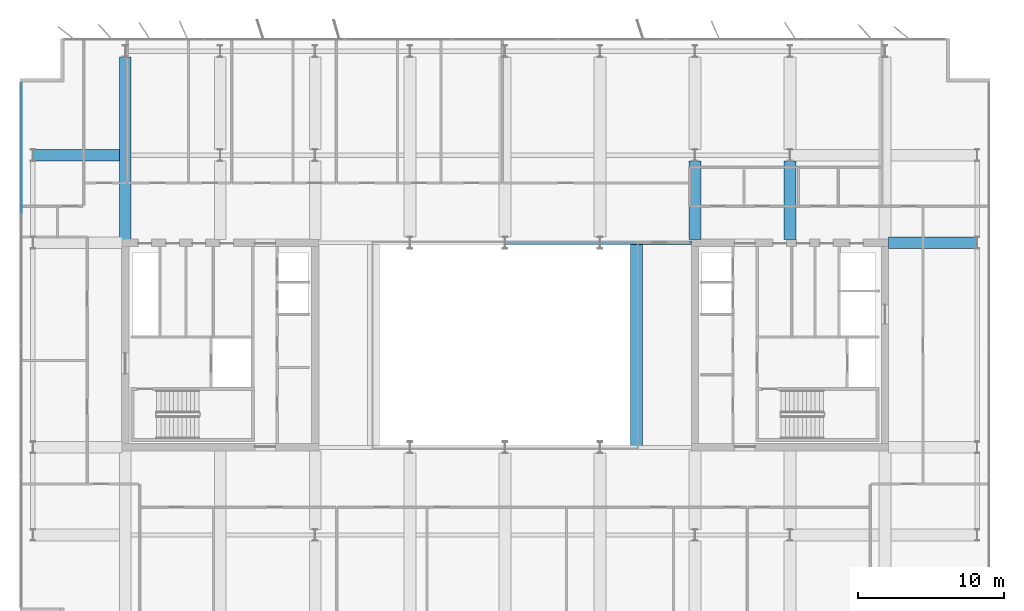
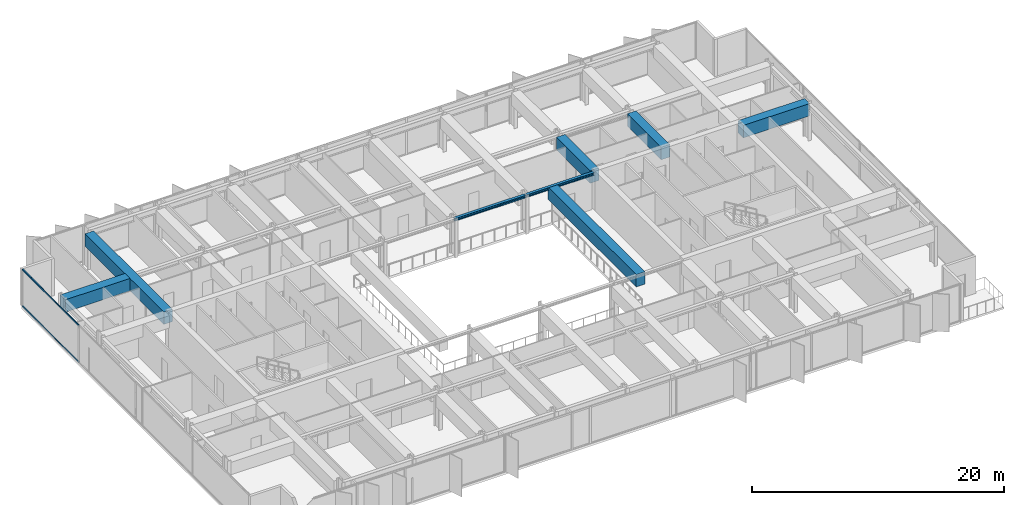
# One storey, part 9 of 24: 8 beams, 2 members, 1 element without a shape of its own.
"""IFC4 building model written with IfcOpenShell, lengths in metres."""

from ifc_helpers import new_model, si_unit, direction, frame, origin, origin_2d, place, context, subcontext, project, spatial, rectangle, i_section, extrude, material, layer, layer_set, material_profile, profile_set, type_object, element, aggregate, save


model = new_model("IFC4")

# Units and contexts
model_context = context("Model", 3, precision=1e-05, world=origin(), true_north=direction((0.0, 1.0)))
body_context = subcontext(model_context, "Body", "Model", "MODEL_VIEW")
ifc_project = project(units=[si_unit("LENGTHUNIT", "METRE"), si_unit("AREAUNIT", "SQUARE_METRE"), si_unit("VOLUMEUNIT", "CUBIC_METRE"), si_unit("PLANEANGLEUNIT", "RADIAN"), si_unit("MASSUNIT", "GRAM", prefix="KILO")], contexts=[model_context])

# Site, building, storey
site_placement = place(None, origin())
site = spatial("IfcSite", under=ifc_project, at=site_placement, CompositionType="ELEMENT")
building_placement = place(site_placement, origin())
building = spatial("IfcBuilding", under=site, at=building_placement, Name="Putna Gate Headquarters", CompositionType="ELEMENT")
storey_placement = place(building_placement, frame((0.0, 0.0, 251.800048828125)))
storey = spatial("IfcBuildingStorey", under=building, at=storey_placement, Name="L63", CompositionType="ELEMENT", Elevation=251.800048828125)

# Beams
ifc_material_1 = material(Name="Steel S355J2", Category="steel")
ifc_material_profile_1 = material_profile(ifc_material_1, i_section(OverallWidth=0.260009765625, OverallDepth=0.260009765625, WebThickness=0.010009765625, FlangeThickness=0.017578125, at=origin_2d()), Name="Steel S355J2")
ifc_profile_set_1 = profile_set([ifc_material_profile_1], Name="Steel S355J2")
beam_type_1 = type_object("IfcBeamType", Name="BM-ATRIUM-HEB260", PredefinedType="BEAM", material=ifc_profile_set_1)
beam_1_placement = place(storey_placement, frame((39.006103515625, 33.0, 3.4580078125), z_axis=(1.0, 0.0, 0.0), x_axis=(0.0, 1.0, 0.0)))
element("IfcBeam", 1, at=beam_1_placement, inside=storey, type_object=beam_type_1, Name="L63 Atrium Edge Beam AN3", PredefinedType="BEAM", context=body_context, shape_type="SweptSolid", body=[
    extrude(i_section(OverallWidth=0.260009765625, OverallDepth=0.260009765625, WebThickness=0.010009765625, FlangeThickness=0.017578125, at=origin_2d()), origin(), (0.0, 0.0, 1.0), 6.48779296875),
])
beam_2_placement = place(storey_placement, frame((45.506103515625, 33.0, 3.4580078125), z_axis=(1.0, 0.0, 0.0), x_axis=(0.0, 1.0, 0.0)))
element("IfcBeam", 2, at=beam_2_placement, inside=storey, type_object=beam_type_1, Name="L63 Atrium Edge Beam AN4", PredefinedType="BEAM", context=body_context, shape_type="SweptSolid", body=[
    extrude(i_section(OverallWidth=0.260009765625, OverallDepth=0.260009765625, WebThickness=0.010009765625, FlangeThickness=0.017578125, at=origin_2d()), origin(), (0.0, 0.0, 1.0), 6.2587890625),
])
ifc_material_2 = material(Name="Concrete C50/60", Category="concrete")
ifc_material_profile_2 = material_profile(ifc_material_2, rectangle(XDim=0.800048828125, YDim=1.199951171875, at=origin_2d()), Name="Concrete C50/60")
ifc_profile_set_2 = profile_set([ifc_material_profile_2], Name="Concrete C50/60")
beam_type_2 = type_object("IfcBeamType", Name="BM-TG-RC1200", PredefinedType="USERDEFINED", material=ifc_profile_set_2)
beam_3_placement = place(storey_placement, frame((65.235107421875, 33.0, 2.988037109375), z_axis=(1.0, 0.0, 0.0), x_axis=(0.0, 1.0, 0.0)))
element("IfcBeam", 3, at=beam_3_placement, inside=storey, type_object=beam_type_2, Name="L63 East Wing Girder Y33", ObjectType="GIRDER", PredefinedType="USERDEFINED", context=body_context, shape_type="SweptSolid", body=[
    extrude(rectangle(XDim=0.800048828125, YDim=1.199951171875, at=origin_2d()), origin(), (0.0, 0.0, 1.0), 6.078857421875),
])
beam_4_placement = place(storey_placement, frame((6.68603515625, 39.0, 2.988037109375), z_axis=(1.0, 0.0, 0.0), x_axis=(0.0, 1.0, 0.0)))
element("IfcBeam", 4, at=beam_4_placement, inside=storey, type_object=beam_type_2, Name="L63 West Setback Girder Y39", ObjectType="GIRDER", PredefinedType="USERDEFINED", context=body_context, shape_type="SweptSolid", body=[
    extrude(rectangle(XDim=0.800048828125, YDim=1.199951171875, at=origin_2d()), origin(), (0.0, 0.0, 1.0), 5.928955078125),
])
beam_5_placement = place(storey_placement, frame((13.0, 33.235107421875, 2.988037109375), z_axis=(0.0, 1.0, 0.0), x_axis=(-1.0, 0.0, 0.0)))
element("IfcBeam", 5, at=beam_5_placement, inside=storey, type_object=beam_type_2, Name="L63 North Primary Girder X13", ObjectType="GIRDER", PredefinedType="USERDEFINED", context=body_context, shape_type="SweptSolid", body=[
    extrude(rectangle(XDim=0.800048828125, YDim=1.199951171875, at=origin_2d()), origin(), (0.0, 0.0, 1.0), 12.489990234375),
])
for number, where, z_axis, x_axis, name in (
    (6, (52.0, 33.235107421875, 2.988037109375), (0.0, 1.0, 0.0), (-1.0, 0.0, 0.0), "L63 North Primary Girder X52-1"),
    (7, (58.5, 33.235107421875, 2.988037109375), (0.0, 1.0, 0.0), (-1.0, 0.0, 0.0), "L63 North Primary Girder X58-1"),
):
    element("IfcBeam", number, at=place(storey_placement, frame(where, z_axis=z_axis, x_axis=x_axis)), inside=storey, type_object=beam_type_2, Name=name, ObjectType="GIRDER", PredefinedType="USERDEFINED", context=body_context, shape_type="SweptSolid", body=[
        extrude(rectangle(XDim=0.800048828125, YDim=1.199951171875, at=origin_2d()), origin(), (0.0, 0.0, 1.0), 5.369873046875),
    ])
beam_6_placement = place(storey_placement, frame((48.0, 19.010009765625, 2.988037109375), z_axis=(0.0, 1.0, 0.0), x_axis=(-1.0, 0.0, 0.0)))
element("IfcBeam", 8, at=beam_6_placement, inside=storey, type_object=beam_type_2, Name="L63 Atrium Trim Girder AE", ObjectType="GIRDER", PredefinedType="USERDEFINED", context=body_context, shape_type="SweptSolid", body=[
    extrude(rectangle(XDim=0.800048828125, YDim=1.199951171875, at=origin_2d()), origin(), (0.0, 0.0, 1.0), 13.97998046875),
])

# Curtain wall, members
ifc_material_3 = material(Name="Anodised bronze aluminium curtain wall", Category="aluminium")
ifc_layer = layer(ifc_material_3, 0.139892578125)
ifc_layer_set = layer_set([ifc_layer], Name="Anodised bronze aluminium curtain wall")
curtain_wall_type = type_object("IfcCurtainWallType", Name="CW-SYS-Z4", PredefinedType="USERDEFINED", material=ifc_layer_set)
curtain_wall_placement = place(storey_placement, origin())
curtain_wall = element("IfcCurtainWall", 9, at=curtain_wall_placement, inside=storey, type_object=curtain_wall_type, Name="L63 West Curtain Wall", ObjectType="STICK CURTAIN WALL", PredefinedType="USERDEFINED")
ifc_material_4 = material(Name="Anodised bronze aluminium EN AW-6060", Category="aluminium")
ifc_material_profile_3 = material_profile(ifc_material_4, rectangle(XDim=0.06005859375, YDim=0.10009765625, at=origin_2d()), Name="Anodised bronze aluminium EN AW-6060")
ifc_profile_set_3 = profile_set([ifc_material_profile_3], Name="Anodised bronze aluminium EN AW-6060")
member_type = type_object("IfcMemberType", Name="TRAN-CWT-4", PredefinedType="USERDEFINED", material=ifc_profile_set_3)
member_1_placement = place(storey_placement, frame((5.8798828125, 35.030029296875, 0.030029296875), z_axis=(0.0, 1.0, 0.0), x_axis=(-1.0, 0.0, 0.0)))
member_1 = element("IfcMember", 10, at=member_1_placement, type_object=member_type, Name="CWS-4 transom 4.1", ObjectType="TRANSOM", PredefinedType="USERDEFINED", context=body_context, shape_type="SweptSolid", body=[
    extrude(rectangle(XDim=0.06005859375, YDim=0.10009765625, at=origin_2d()), origin(), (0.0, 0.0, 1.0), 8.909912109375),
])
member_2_placement = place(storey_placement, frame((5.8798828125, 35.030029296875, 3.557861328125), z_axis=(0.0, 1.0, 0.0), x_axis=(-1.0, 0.0, 0.0)))
member_2 = element("IfcMember", 11, at=member_2_placement, type_object=member_type, Name="CWS-4 transom 4.2", ObjectType="TRANSOM", PredefinedType="USERDEFINED", context=body_context, shape_type="SweptSolid", body=[
    extrude(rectangle(XDim=0.06005859375, YDim=0.10009765625, at=origin_2d()), origin(), (0.0, 0.0, 1.0), 8.909912109375),
])
aggregate(curtain_wall, [member_1, member_2])

save(model, "model.ifc")
